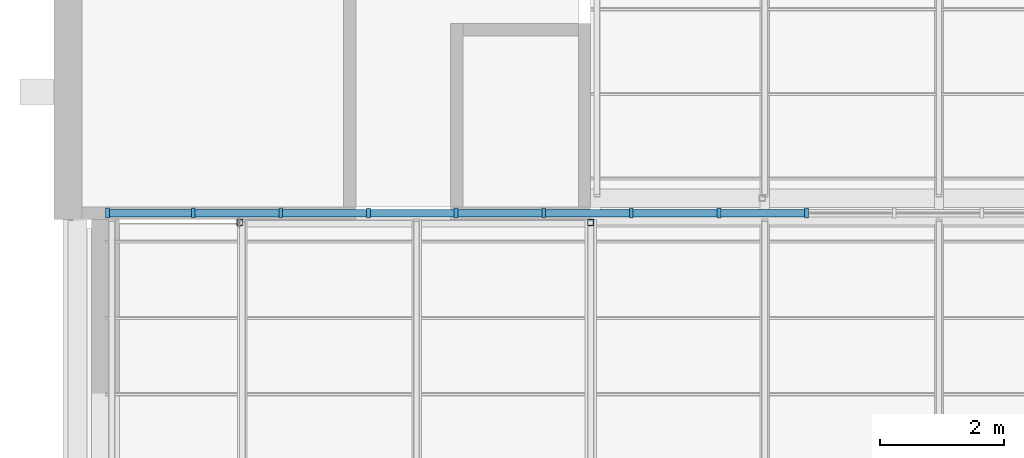
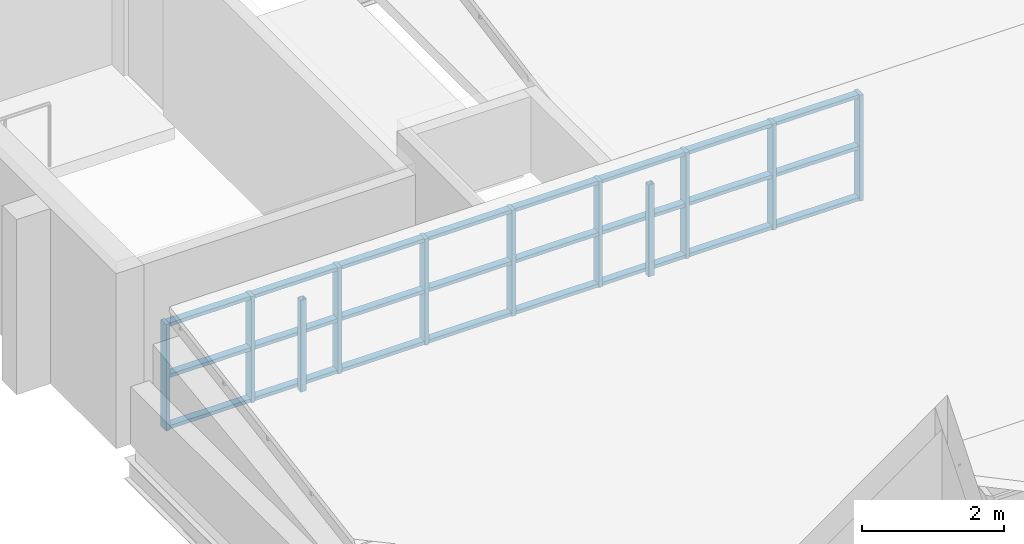
# One storey, part 8 of 42: 35 members, 1 element without a shape of its own.
"""IFC4 building model written with IfcOpenShell, lengths in metres."""

from ifc_helpers import new_model, si_unit, direction, frame, origin, origin_2d, place, context, subcontext, project, spatial, rectangle, hollow_rectangle, extrude, material, layer, layer_set, material_profile, profile_set, type_object, element, aggregate, save


model = new_model("IFC4")

# Units and contexts
model_context = context("Model", 3, precision=1e-05, world=origin(), true_north=direction((0.0, 1.0)))
body_context = subcontext(model_context, "Body", "Model", "MODEL_VIEW")
ifc_project = project(units=[si_unit("LENGTHUNIT", "METRE"), si_unit("AREAUNIT", "SQUARE_METRE"), si_unit("VOLUMEUNIT", "CUBIC_METRE"), si_unit("PLANEANGLEUNIT", "RADIAN"), si_unit("MASSUNIT", "GRAM", prefix="KILO")], contexts=[model_context])

# Site, building, storey
site_placement = place(None, origin())
site = spatial("IfcSite", under=ifc_project, at=site_placement, CompositionType="ELEMENT")
building_placement = place(site_placement, origin())
building = spatial("IfcBuilding", under=site, at=building_placement, Name="Ardhachandra Cancer Care Centre", CompositionType="ELEMENT")
storey_placement = place(building_placement, frame((0.0, 0.0, 22.5)))
storey = spatial("IfcBuildingStorey", under=building, at=storey_placement, Name="L05", CompositionType="ELEMENT", Elevation=22.5)

# Curtain wall, members
ifc_material_1 = material(Name="Aluminium extrusion", Category="aluminium")
ifc_layer = layer(ifc_material_1, 0.14990234375)
ifc_layer_set = layer_set([ifc_layer], Name="Aluminium extrusion")
curtain_wall_type = type_object("IfcCurtainWallType", Name="Curtain wall run", PredefinedType="NOTDEFINED", material=ifc_layer_set)
curtain_wall_placement = place(storey_placement, origin())
curtain_wall = element("IfcCurtainWall", 1, at=curtain_wall_placement, inside=storey, type_object=curtain_wall_type, Name="Curtain wall L05 n/0011400_0088300", PredefinedType="NOTDEFINED")
ifc_material_2 = material(Name="Aluminium extrusion", Category="aluminium")
ifc_material_profile_1 = material_profile(ifc_material_2, rectangle(XDim=0.159912109375, YDim=0.06005859375, at=origin_2d()), Name="Curtain wall mullion 60 x 160")
ifc_profile_set_1 = profile_set([ifc_material_profile_1], Name="Aluminium extrusion")
member_type_1 = type_object("IfcMemberType", Name="Curtain wall mullion 60 x 160", PredefinedType="MULLION", material=ifc_profile_set_1)
member_1_placement = place(storey_placement, frame((11.429931640625, 88.300048828125, 0.0), z_axis=(0.0, 0.0, 1.0), x_axis=(0.0, 1.0, 0.0)))
member_1 = element("IfcMember", 2, at=member_1_placement, type_object=member_type_1, Name="CW mullion 1", PredefinedType="MULLION", context=body_context, shape_type="SweptSolid", body=[
    extrude(rectangle(XDim=0.159912109375, YDim=0.06005859375, at=origin_2d()), origin(), (0.0, 0.0, 1.0), 1.820068359375),
])
member_2_placement = place(storey_placement, frame((12.80859375, 88.300048828125, 0.0), z_axis=(0.0, 0.0, 1.0), x_axis=(0.0, 1.0, 0.0)))
member_2 = element("IfcMember", 3, at=member_2_placement, type_object=member_type_1, Name="CW mullion 2", PredefinedType="MULLION", context=body_context, shape_type="SweptSolid", body=[
    extrude(rectangle(XDim=0.159912109375, YDim=0.06005859375, at=origin_2d()), origin(), (0.0, 0.0, 1.0), 1.820068359375),
])
member_3_placement = place(storey_placement, frame((14.21728515625, 88.300048828125, 0.0), z_axis=(0.0, 0.0, 1.0), x_axis=(0.0, 1.0, 0.0)))
member_3 = element("IfcMember", 4, at=member_3_placement, type_object=member_type_1, Name="CW mullion 3", PredefinedType="MULLION", context=body_context, shape_type="SweptSolid", body=[
    extrude(rectangle(XDim=0.159912109375, YDim=0.06005859375, at=origin_2d()), origin(), (0.0, 0.0, 1.0), 1.820068359375),
])
member_4_placement = place(storey_placement, frame((15.6259765625, 88.300048828125, 0.0), z_axis=(0.0, 0.0, 1.0), x_axis=(0.0, 1.0, 0.0)))
member_4 = element("IfcMember", 5, at=member_4_placement, type_object=member_type_1, Name="CW mullion 4", PredefinedType="MULLION", context=body_context, shape_type="SweptSolid", body=[
    extrude(rectangle(XDim=0.159912109375, YDim=0.06005859375, at=origin_2d()), origin(), (0.0, 0.0, 1.0), 1.820068359375),
])
member_5_placement = place(storey_placement, frame((17.03466796875, 88.300048828125, 0.0), z_axis=(0.0, 0.0, 1.0), x_axis=(0.0, 1.0, 0.0)))
member_5 = element("IfcMember", 6, at=member_5_placement, type_object=member_type_1, Name="CW mullion 5", PredefinedType="MULLION", context=body_context, shape_type="SweptSolid", body=[
    extrude(rectangle(XDim=0.159912109375, YDim=0.06005859375, at=origin_2d()), origin(), (0.0, 0.0, 1.0), 1.820068359375),
])
member_6_placement = place(storey_placement, frame((18.443359375, 88.300048828125, 0.0), z_axis=(0.0, 0.0, 1.0), x_axis=(0.0, 1.0, 0.0)))
member_6 = element("IfcMember", 7, at=member_6_placement, type_object=member_type_1, Name="CW mullion 6", PredefinedType="MULLION", context=body_context, shape_type="SweptSolid", body=[
    extrude(rectangle(XDim=0.159912109375, YDim=0.06005859375, at=origin_2d()), origin(), (0.0, 0.0, 1.0), 1.820068359375),
])
member_7_placement = place(storey_placement, frame((19.852294921875, 88.300048828125, 0.0), z_axis=(0.0, 0.0, 1.0), x_axis=(0.0, 1.0, 0.0)))
member_7 = element("IfcMember", 8, at=member_7_placement, type_object=member_type_1, Name="CW mullion 7", PredefinedType="MULLION", context=body_context, shape_type="SweptSolid", body=[
    extrude(rectangle(XDim=0.159912109375, YDim=0.06005859375, at=origin_2d()), origin(), (0.0, 0.0, 1.0), 1.820068359375),
])
member_8_placement = place(storey_placement, frame((21.260986328125, 88.300048828125, 0.0), z_axis=(0.0, 0.0, 1.0), x_axis=(0.0, 1.0, 0.0)))
member_8 = element("IfcMember", 9, at=member_8_placement, type_object=member_type_1, Name="CW mullion 8", PredefinedType="MULLION", context=body_context, shape_type="SweptSolid", body=[
    extrude(rectangle(XDim=0.159912109375, YDim=0.06005859375, at=origin_2d()), origin(), (0.0, 0.0, 1.0), 1.820068359375),
])
member_9_placement = place(storey_placement, frame((22.669677734375, 88.300048828125, 0.0), z_axis=(0.0, 0.0, 1.0), x_axis=(0.0, 1.0, 0.0)))
member_9 = element("IfcMember", 10, at=member_9_placement, type_object=member_type_1, Name="CW mullion 9", PredefinedType="MULLION", context=body_context, shape_type="SweptSolid", body=[
    extrude(rectangle(XDim=0.159912109375, YDim=0.06005859375, at=origin_2d()), origin(), (0.0, 0.0, 1.0), 1.820068359375),
])
ifc_material_3 = material(Name="Aluminium extrusion", Category="aluminium")
ifc_material_profile_2 = material_profile(ifc_material_3, rectangle(XDim=0.1201171875, YDim=0.06005859375, at=origin_2d()), Name="Curtain wall transom 60 x 120")
ifc_profile_set_2 = profile_set([ifc_material_profile_2], Name="Aluminium extrusion")
member_type_2 = type_object("IfcMemberType", Name="Curtain wall transom 60 x 120", PredefinedType="USERDEFINED", material=ifc_profile_set_2)
member_10_placement = place(storey_placement, frame((11.4599609375, 88.300048828125, 0.030029296875), z_axis=(1.0, 0.0, 0.0), x_axis=(0.0, 1.0, 0.0)))
member_10 = element("IfcMember", 11, at=member_10_placement, type_object=member_type_2, Name="CW transom 1.1", ObjectType="TRANSOM", PredefinedType="USERDEFINED", context=body_context, shape_type="SweptSolid", body=[
    extrude(rectangle(XDim=0.1201171875, YDim=0.06005859375, at=origin_2d()), origin(), (0.0, 0.0, 1.0), 1.31884765625),
])
member_11_placement = place(storey_placement, frame((11.4599609375, 88.300048828125, 0.909912109375), z_axis=(1.0, 0.0, 0.0), x_axis=(0.0, 1.0, 0.0)))
member_11 = element("IfcMember", 12, at=member_11_placement, type_object=member_type_2, Name="CW transom 1.2", ObjectType="TRANSOM", PredefinedType="USERDEFINED", context=body_context, shape_type="SweptSolid", body=[
    extrude(rectangle(XDim=0.1201171875, YDim=0.06005859375, at=origin_2d()), origin(), (0.0, 0.0, 1.0), 1.31884765625),
])
member_12_placement = place(storey_placement, frame((11.4599609375, 88.300048828125, 1.7900390625), z_axis=(1.0, 0.0, 0.0), x_axis=(0.0, 1.0, 0.0)))
member_12 = element("IfcMember", 13, at=member_12_placement, type_object=member_type_2, Name="CW transom 1.3", ObjectType="TRANSOM", PredefinedType="USERDEFINED", context=body_context, shape_type="SweptSolid", body=[
    extrude(rectangle(XDim=0.1201171875, YDim=0.06005859375, at=origin_2d()), origin(), (0.0, 0.0, 1.0), 1.31884765625),
])
member_13_placement = place(storey_placement, frame((12.838623046875, 88.300048828125, 0.030029296875), z_axis=(1.0, 0.0, 0.0), x_axis=(0.0, 1.0, 0.0)))
member_13 = element("IfcMember", 14, at=member_13_placement, type_object=member_type_2, Name="CW transom 2.1", ObjectType="TRANSOM", PredefinedType="USERDEFINED", context=body_context, shape_type="SweptSolid", body=[
    extrude(rectangle(XDim=0.1201171875, YDim=0.06005859375, at=origin_2d()), origin(), (0.0, 0.0, 1.0), 1.348876953125),
])
member_14_placement = place(storey_placement, frame((12.838623046875, 88.300048828125, 0.909912109375), z_axis=(1.0, 0.0, 0.0), x_axis=(0.0, 1.0, 0.0)))
member_14 = element("IfcMember", 15, at=member_14_placement, type_object=member_type_2, Name="CW transom 2.2", ObjectType="TRANSOM", PredefinedType="USERDEFINED", context=body_context, shape_type="SweptSolid", body=[
    extrude(rectangle(XDim=0.1201171875, YDim=0.06005859375, at=origin_2d()), origin(), (0.0, 0.0, 1.0), 1.348876953125),
])
member_15_placement = place(storey_placement, frame((12.838623046875, 88.300048828125, 1.7900390625), z_axis=(1.0, 0.0, 0.0), x_axis=(0.0, 1.0, 0.0)))
member_15 = element("IfcMember", 16, at=member_15_placement, type_object=member_type_2, Name="CW transom 2.3", ObjectType="TRANSOM", PredefinedType="USERDEFINED", context=body_context, shape_type="SweptSolid", body=[
    extrude(rectangle(XDim=0.1201171875, YDim=0.06005859375, at=origin_2d()), origin(), (0.0, 0.0, 1.0), 1.348876953125),
])
member_16_placement = place(storey_placement, frame((14.247314453125, 88.300048828125, 0.030029296875), z_axis=(1.0, 0.0, 0.0), x_axis=(0.0, 1.0, 0.0)))
member_16 = element("IfcMember", 17, at=member_16_placement, type_object=member_type_2, Name="CW transom 3.1", ObjectType="TRANSOM", PredefinedType="USERDEFINED", context=body_context, shape_type="SweptSolid", body=[
    extrude(rectangle(XDim=0.1201171875, YDim=0.06005859375, at=origin_2d()), origin(), (0.0, 0.0, 1.0), 1.348876953125),
])
member_17_placement = place(storey_placement, frame((14.247314453125, 88.300048828125, 0.909912109375), z_axis=(1.0, 0.0, 0.0), x_axis=(0.0, 1.0, 0.0)))
member_17 = element("IfcMember", 18, at=member_17_placement, type_object=member_type_2, Name="CW transom 3.2", ObjectType="TRANSOM", PredefinedType="USERDEFINED", context=body_context, shape_type="SweptSolid", body=[
    extrude(rectangle(XDim=0.1201171875, YDim=0.06005859375, at=origin_2d()), origin(), (0.0, 0.0, 1.0), 1.348876953125),
])
member_18_placement = place(storey_placement, frame((14.247314453125, 88.300048828125, 1.7900390625), z_axis=(1.0, 0.0, 0.0), x_axis=(0.0, 1.0, 0.0)))
member_18 = element("IfcMember", 19, at=member_18_placement, type_object=member_type_2, Name="CW transom 3.3", ObjectType="TRANSOM", PredefinedType="USERDEFINED", context=body_context, shape_type="SweptSolid", body=[
    extrude(rectangle(XDim=0.1201171875, YDim=0.06005859375, at=origin_2d()), origin(), (0.0, 0.0, 1.0), 1.348876953125),
])
member_19_placement = place(storey_placement, frame((15.656005859375, 88.300048828125, 0.030029296875), z_axis=(1.0, 0.0, 0.0), x_axis=(0.0, 1.0, 0.0)))
member_19 = element("IfcMember", 20, at=member_19_placement, type_object=member_type_2, Name="CW transom 4.1", ObjectType="TRANSOM", PredefinedType="USERDEFINED", context=body_context, shape_type="SweptSolid", body=[
    extrude(rectangle(XDim=0.1201171875, YDim=0.06005859375, at=origin_2d()), origin(), (0.0, 0.0, 1.0), 1.348876953125),
])
member_20_placement = place(storey_placement, frame((15.656005859375, 88.300048828125, 0.909912109375), z_axis=(1.0, 0.0, 0.0), x_axis=(0.0, 1.0, 0.0)))
member_20 = element("IfcMember", 21, at=member_20_placement, type_object=member_type_2, Name="CW transom 4.2", ObjectType="TRANSOM", PredefinedType="USERDEFINED", context=body_context, shape_type="SweptSolid", body=[
    extrude(rectangle(XDim=0.1201171875, YDim=0.06005859375, at=origin_2d()), origin(), (0.0, 0.0, 1.0), 1.348876953125),
])
member_21_placement = place(storey_placement, frame((15.656005859375, 88.300048828125, 1.7900390625), z_axis=(1.0, 0.0, 0.0), x_axis=(0.0, 1.0, 0.0)))
member_21 = element("IfcMember", 22, at=member_21_placement, type_object=member_type_2, Name="CW transom 4.3", ObjectType="TRANSOM", PredefinedType="USERDEFINED", context=body_context, shape_type="SweptSolid", body=[
    extrude(rectangle(XDim=0.1201171875, YDim=0.06005859375, at=origin_2d()), origin(), (0.0, 0.0, 1.0), 1.348876953125),
])
member_22_placement = place(storey_placement, frame((17.064697265625, 88.300048828125, 0.030029296875), z_axis=(1.0, 0.0, 0.0), x_axis=(0.0, 1.0, 0.0)))
member_22 = element("IfcMember", 23, at=member_22_placement, type_object=member_type_2, Name="CW transom 5.1", ObjectType="TRANSOM", PredefinedType="USERDEFINED", context=body_context, shape_type="SweptSolid", body=[
    extrude(rectangle(XDim=0.1201171875, YDim=0.06005859375, at=origin_2d()), origin(), (0.0, 0.0, 1.0), 1.348876953125),
])
member_23_placement = place(storey_placement, frame((17.064697265625, 88.300048828125, 0.909912109375), z_axis=(1.0, 0.0, 0.0), x_axis=(0.0, 1.0, 0.0)))
member_23 = element("IfcMember", 24, at=member_23_placement, type_object=member_type_2, Name="CW transom 5.2", ObjectType="TRANSOM", PredefinedType="USERDEFINED", context=body_context, shape_type="SweptSolid", body=[
    extrude(rectangle(XDim=0.1201171875, YDim=0.06005859375, at=origin_2d()), origin(), (0.0, 0.0, 1.0), 1.348876953125),
])
member_24_placement = place(storey_placement, frame((17.064697265625, 88.300048828125, 1.7900390625), z_axis=(1.0, 0.0, 0.0), x_axis=(0.0, 1.0, 0.0)))
member_24 = element("IfcMember", 25, at=member_24_placement, type_object=member_type_2, Name="CW transom 5.3", ObjectType="TRANSOM", PredefinedType="USERDEFINED", context=body_context, shape_type="SweptSolid", body=[
    extrude(rectangle(XDim=0.1201171875, YDim=0.06005859375, at=origin_2d()), origin(), (0.0, 0.0, 1.0), 1.348876953125),
])
member_25_placement = place(storey_placement, frame((18.473388671875, 88.300048828125, 0.030029296875), z_axis=(1.0, 0.0, 0.0), x_axis=(0.0, 1.0, 0.0)))
member_25 = element("IfcMember", 26, at=member_25_placement, type_object=member_type_2, Name="CW transom 6.1", ObjectType="TRANSOM", PredefinedType="USERDEFINED", context=body_context, shape_type="SweptSolid", body=[
    extrude(rectangle(XDim=0.1201171875, YDim=0.06005859375, at=origin_2d()), origin(), (0.0, 0.0, 1.0), 1.348876953125),
])
member_26_placement = place(storey_placement, frame((18.473388671875, 88.300048828125, 0.909912109375), z_axis=(1.0, 0.0, 0.0), x_axis=(0.0, 1.0, 0.0)))
member_26 = element("IfcMember", 27, at=member_26_placement, type_object=member_type_2, Name="CW transom 6.2", ObjectType="TRANSOM", PredefinedType="USERDEFINED", context=body_context, shape_type="SweptSolid", body=[
    extrude(rectangle(XDim=0.1201171875, YDim=0.06005859375, at=origin_2d()), origin(), (0.0, 0.0, 1.0), 1.348876953125),
])
member_27_placement = place(storey_placement, frame((18.473388671875, 88.300048828125, 1.7900390625), z_axis=(1.0, 0.0, 0.0), x_axis=(0.0, 1.0, 0.0)))
member_27 = element("IfcMember", 28, at=member_27_placement, type_object=member_type_2, Name="CW transom 6.3", ObjectType="TRANSOM", PredefinedType="USERDEFINED", context=body_context, shape_type="SweptSolid", body=[
    extrude(rectangle(XDim=0.1201171875, YDim=0.06005859375, at=origin_2d()), origin(), (0.0, 0.0, 1.0), 1.348876953125),
])
member_28_placement = place(storey_placement, frame((19.882080078125, 88.300048828125, 0.030029296875), z_axis=(1.0, 0.0, 0.0), x_axis=(0.0, 1.0, 0.0)))
member_28 = element("IfcMember", 29, at=member_28_placement, type_object=member_type_2, Name="CW transom 7.1", ObjectType="TRANSOM", PredefinedType="USERDEFINED", context=body_context, shape_type="SweptSolid", body=[
    extrude(rectangle(XDim=0.1201171875, YDim=0.06005859375, at=origin_2d()), origin(), (0.0, 0.0, 1.0), 1.348876953125),
])
member_29_placement = place(storey_placement, frame((19.882080078125, 88.300048828125, 0.909912109375), z_axis=(1.0, 0.0, 0.0), x_axis=(0.0, 1.0, 0.0)))
member_29 = element("IfcMember", 30, at=member_29_placement, type_object=member_type_2, Name="CW transom 7.2", ObjectType="TRANSOM", PredefinedType="USERDEFINED", context=body_context, shape_type="SweptSolid", body=[
    extrude(rectangle(XDim=0.1201171875, YDim=0.06005859375, at=origin_2d()), origin(), (0.0, 0.0, 1.0), 1.348876953125),
])
member_30_placement = place(storey_placement, frame((19.882080078125, 88.300048828125, 1.7900390625), z_axis=(1.0, 0.0, 0.0), x_axis=(0.0, 1.0, 0.0)))
member_30 = element("IfcMember", 31, at=member_30_placement, type_object=member_type_2, Name="CW transom 7.3", ObjectType="TRANSOM", PredefinedType="USERDEFINED", context=body_context, shape_type="SweptSolid", body=[
    extrude(rectangle(XDim=0.1201171875, YDim=0.06005859375, at=origin_2d()), origin(), (0.0, 0.0, 1.0), 1.348876953125),
])
member_31_placement = place(storey_placement, frame((21.290771484375, 88.300048828125, 0.030029296875), z_axis=(1.0, 0.0, 0.0), x_axis=(0.0, 1.0, 0.0)))
member_31 = element("IfcMember", 32, at=member_31_placement, type_object=member_type_2, Name="CW transom 8.1", ObjectType="TRANSOM", PredefinedType="USERDEFINED", context=body_context, shape_type="SweptSolid", body=[
    extrude(rectangle(XDim=0.1201171875, YDim=0.06005859375, at=origin_2d()), origin(), (0.0, 0.0, 1.0), 1.348876953125),
])
member_32_placement = place(storey_placement, frame((21.290771484375, 88.300048828125, 0.909912109375), z_axis=(1.0, 0.0, 0.0), x_axis=(0.0, 1.0, 0.0)))
member_32 = element("IfcMember", 33, at=member_32_placement, type_object=member_type_2, Name="CW transom 8.2", ObjectType="TRANSOM", PredefinedType="USERDEFINED", context=body_context, shape_type="SweptSolid", body=[
    extrude(rectangle(XDim=0.1201171875, YDim=0.06005859375, at=origin_2d()), origin(), (0.0, 0.0, 1.0), 1.348876953125),
])
member_33_placement = place(storey_placement, frame((21.290771484375, 88.300048828125, 1.7900390625), z_axis=(1.0, 0.0, 0.0), x_axis=(0.0, 1.0, 0.0)))
member_33 = element("IfcMember", 34, at=member_33_placement, type_object=member_type_2, Name="CW transom 8.3", ObjectType="TRANSOM", PredefinedType="USERDEFINED", context=body_context, shape_type="SweptSolid", body=[
    extrude(rectangle(XDim=0.1201171875, YDim=0.06005859375, at=origin_2d()), origin(), (0.0, 0.0, 1.0), 1.348876953125),
])
aggregate(curtain_wall, [member_1, member_2, member_3, member_4, member_5, member_6, member_7, member_8, member_9, member_10, member_11, member_12, member_13, member_14, member_15, member_16, member_17, member_18, member_19, member_20, member_21, member_22, member_23, member_24, member_25, member_26, member_27, member_28, member_29, member_30, member_31, member_32, member_33])

# Members
ifc_material_4 = material(Name="Steel E350 (IS 2062)", Category="steel")
ifc_material_profile_3 = material_profile(ifc_material_4, hollow_rectangle(XDim=0.10009765625, YDim=0.10009765625, WallThickness=0.0048828125, InnerFilletRadius=0.0048828125, OuterFilletRadius=0.010009765625, at=origin_2d()), Name="SHS 100x100x5.0")
ifc_profile_set_3 = profile_set([ifc_material_profile_3], Name="Steel E350 (IS 2062)")
member_type_3 = type_object("IfcMemberType", Name="Sawtooth ridge post SHS 100x100x5.0", PredefinedType="POST", material=ifc_profile_set_3)
for number, where, z_axis, x_axis, name in (
    (35, (13.56005859375, 88.14990234375, 0.0), (0.0, 0.0, 1.0), (1.0, 0.0, 0.0), "Ridge post NT2a.1"),
    (36, (19.199951171875, 88.14990234375, 0.0), (0.0, 0.0, 1.0), (1.0, 0.0, 0.0), "Ridge post NT2a.2"),
):
    element("IfcMember", number, at=place(storey_placement, frame(where, z_axis=z_axis, x_axis=x_axis)), inside=storey, type_object=member_type_3, Name=name, PredefinedType="POST", context=body_context, shape_type="SweptSolid", body=[
        extrude(hollow_rectangle(XDim=0.10009765625, YDim=0.10009765625, WallThickness=0.0048828125, InnerFilletRadius=0.0048828125, OuterFilletRadius=0.010009765625, at=origin_2d()), origin(), (0.0, 0.0, 1.0), 1.570068359375),
    ])

save(model, "model.ifc")
